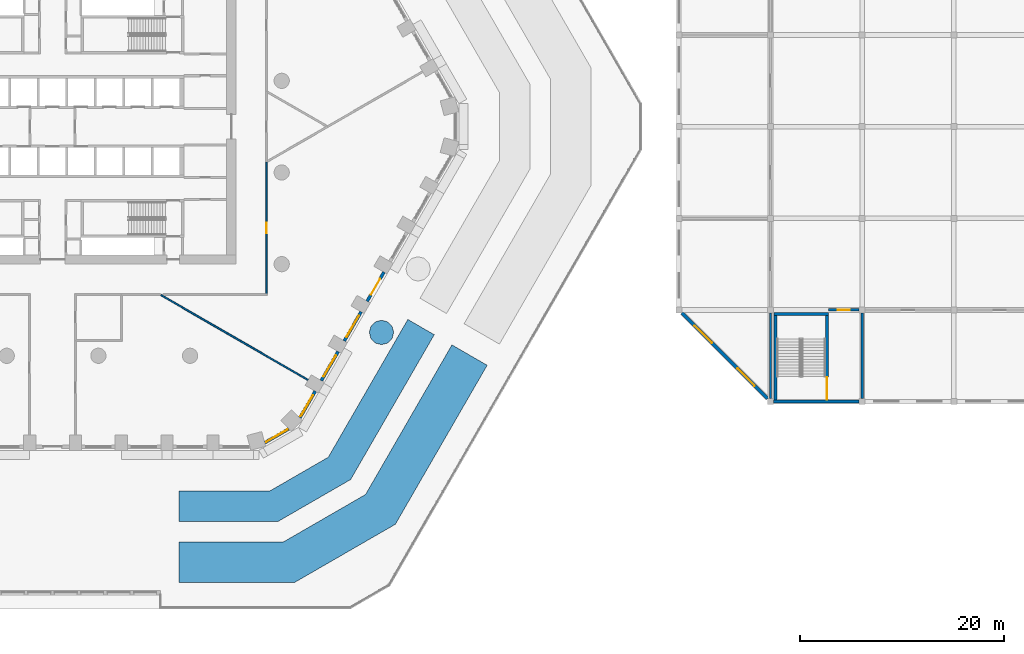
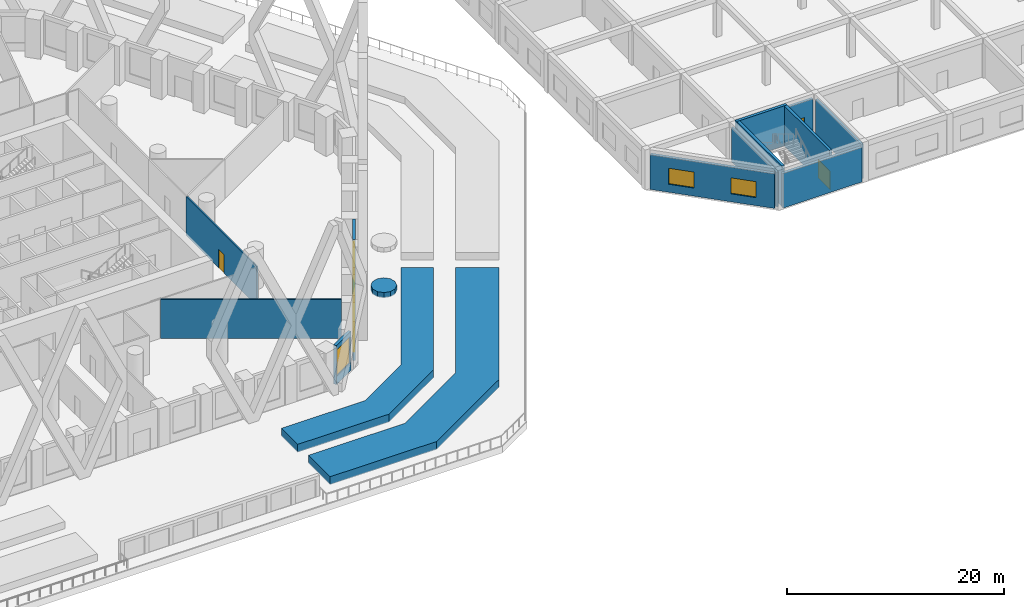
# One storey, part 9 of 27: 18 walls, 6 windows, 4 doors, 10 openings.
"""IFC4 building model written with IfcOpenShell, lengths in metres."""

import ifcopenshell
import ifcopenshell.guid

model = None  # the IFC model being written
_history = None  # IfcOwnerHistory: only IFC2X3 demands one
_inside = {}  # id of a spatial element -> (the spatial element, [elements in it])
_under = {}  # id of a project, library or spatial element -> (it, [spatial elements below it])
_declared = {}  # id of a project -> (the project, [libraries it declares])
_typed = {}  # id of a type object -> (the type object, [elements of that type])
_made_of = {}  # id of a material, layer set ... -> (it, [elements and type objects made of it])


def new_model(schema):
    """Start an empty IFC model of exactly this schema.

    Asked for "IFC4X3", IfcOpenShell would pick the latest addendum, in which some entities
    have other attributes; the version numbers below select the first issue.
    IFC2X3 requires an IfcOwnerHistory on every rooted entity: one is made here for all.
    """
    global model, _history
    if schema == "IFC4X3":
        model = ifcopenshell.file(schema_version=(4, 3, 0, 0))
    else:
        model = ifcopenshell.file(schema=schema)
    _inside.clear()
    _under.clear()
    _declared.clear()
    _typed.clear()
    _made_of.clear()
    _history = None
    if model.schema == "IFC2X3":
        org = make("IfcOrganization", Name="unknown")
        user = make(
            "IfcPersonAndOrganization",
            ThePerson=make("IfcPerson", FamilyName="unknown"),
            TheOrganization=org,
        )
        app = make(
            "IfcApplication",
            ApplicationDeveloper=org,
            Version="unknown",
            ApplicationFullName="unknown",
            ApplicationIdentifier="unknown",
        )
        _history = make(
            "IfcOwnerHistory",
            OwningUser=user,
            OwningApplication=app,
            ChangeAction="ADDED",
            CreationDate=0,
        )
    return model


def make(cls, **values):
    """One entity of the class cls with the attributes given. An attribute that is None is left unset."""
    return model.create_entity(
        cls, **{name: value for name, value in values.items() if value is not None}
    )


def rooted(cls, **values):
    """An entity with a GlobalId (a new one), such as an element, a storey or a relation."""
    return make(cls, GlobalId=ifcopenshell.guid.new(), OwnerHistory=_history, **values)


def si_unit(unit_type, name, prefix=None):
    """IfcSIUnit, for example si_unit("LENGTHUNIT", "METRE", prefix="MILLI")."""
    return make("IfcSIUnit", UnitType=unit_type, Prefix=prefix, Name=name)


def assignment(units):
    """IfcUnitAssignment: the units of a project."""
    return None if units is None else make("IfcUnitAssignment", Units=units)


def point(xyz):
    """IfcCartesianPoint."""
    return None if xyz is None else make("IfcCartesianPoint", Coordinates=xyz)


def direction(xyz):
    """IfcDirection."""
    return None if xyz is None else make("IfcDirection", DirectionRatios=xyz)


def frame(location, z_axis=None, x_axis=None):
    """IfcAxis2Placement3D, a coordinate frame: its origin and axes. An axis left out is left unset."""
    return make(
        "IfcAxis2Placement3D",
        Location=point(location),
        Axis=direction(z_axis),
        RefDirection=direction(x_axis),
    )


def frame_2d(location, x_axis=None):
    """IfcAxis2Placement2D, a coordinate frame in the plane: its origin and x axis."""
    return make(
        "IfcAxis2Placement2D", Location=point(location), RefDirection=direction(x_axis)
    )


def origin():
    """The frame at (0, 0, 0) with its axes left unset."""
    return frame((0.0, 0.0, 0.0))


def place(relative_to, where):
    """IfcLocalPlacement: puts the frame where relative to a parent placement (None: the world)."""
    return make(
        "IfcLocalPlacement", PlacementRelTo=relative_to, RelativePlacement=where
    )


def context(
    kind, dimensions, precision=None, world=None, true_north=None, identifier=None
):
    """IfcGeometricRepresentationContext, for example the 3D "Model" context."""
    return make(
        "IfcGeometricRepresentationContext",
        ContextIdentifier=identifier,
        ContextType=kind,
        CoordinateSpaceDimension=dimensions,
        Precision=precision,
        WorldCoordinateSystem=world,
        TrueNorth=true_north,
    )


def subcontext(parent, identifier, kind, view, scale=None):
    """IfcGeometricRepresentationSubContext, for example "Body" below "Model"."""
    return make(
        "IfcGeometricRepresentationSubContext",
        ContextIdentifier=identifier,
        ContextType=kind,
        ParentContext=parent,
        TargetScale=scale,
        TargetView=view,
    )


def project(units=None, contexts=None):
    """IfcProject with its units and contexts."""
    return rooted(
        "IfcProject",
        Name="project",
        RepresentationContexts=contexts,
        UnitsInContext=assignment(units),
    )


def spatial(cls, under=None, at=None, **own):
    """A site, building, storey or space (cls), placed at a placement, below another one or the project."""
    s = rooted(cls, ObjectPlacement=at, **own)
    if under is not None:
        _under.setdefault(under.id(), (under, []))[1].append(s)
    return s


def polyline(points):
    """IfcPolyline through the points."""
    return make("IfcPolyline", Points=[point(p) for p in points])


def profile(cls, at=None, kind="AREA", **sizes):
    """A parametric profile (cls). Its sizes go by their IFC names, for example OverallWidth=200.0."""
    return make(cls, ProfileType=kind, Position=at, **sizes)


def rectangle(**sizes):
    """IfcRectangleProfileDef."""
    return profile("IfcRectangleProfileDef", **sizes)


def outline(outer, holes=None, kind="AREA"):
    """IfcArbitraryClosedProfileDef: a profile drawn as a closed curve; with holes, ...WithVoids."""
    if holes is None:
        return make("IfcArbitraryClosedProfileDef", ProfileType=kind, OuterCurve=outer)
    return make(
        "IfcArbitraryProfileDefWithVoids",
        ProfileType=kind,
        OuterCurve=outer,
        InnerCurves=holes,
    )


def extrude(swept, where, along, depth):
    """IfcExtrudedAreaSolid: the profile swept, set in the frame where, extruded along a direction by depth."""
    return make(
        "IfcExtrudedAreaSolid",
        SweptArea=swept,
        Position=where,
        ExtrudedDirection=direction(along),
        Depth=depth,
    )


def shape(context_of_items, identifier, shape_type, items):
    """IfcShapeRepresentation: the items that make up one representation, for example the "Body"."""
    return make(
        "IfcShapeRepresentation",
        ContextOfItems=context_of_items,
        RepresentationIdentifier=identifier,
        RepresentationType=shape_type,
        Items=items,
    )


def material(Name=None, Category=None):
    """IfcMaterial."""
    return make("IfcMaterial", Name=Name, Category=Category)


def layer(
    of_material, thickness, ventilated=None, Name=None, Category=None, Priority=None
):
    """IfcMaterialLayer: one layer of a wall or slab, of a material (None: an air gap)."""
    return make(
        "IfcMaterialLayer",
        Material=of_material,
        LayerThickness=thickness,
        IsVentilated=ventilated,
        Name=Name,
        Category=Category,
        Priority=Priority,
    )


def layer_set(layers, Name=None):
    """IfcMaterialLayerSet."""
    return make("IfcMaterialLayerSet", MaterialLayers=layers, LayerSetName=Name)


def made_of(thing, what):
    """Note that an element or type object is made of a material, layer set ...; save() writes the relation."""
    if what is not None:
        _made_of.setdefault(what.id(), (what, []))[1].append(thing)
    return thing


def type_object(cls, material=None, **own):
    """A type object (cls), such as IfcWallType, which elements share."""
    return made_of(rooted(cls, **own), material)


def element(
    cls,
    number,
    at=None,
    inside=None,
    cuts=None,
    type_object=None,
    material=None,
    context=None,
    identifier="Body",
    shape_type=None,
    held_by="IfcProductDefinitionShape",
    body=None,
    shapes=None,
    **own,
):
    """One element of the class cls, such as IfcWall. Its Tag is "e" and its number.

    at: its placement. inside: the storey or other place that contains it. cuts: it is an
    opening in that element (IfcRelVoidsElement). A single representation is given by context,
    identifier, shape_type and body (its items); several are given by shapes. held_by: the class
    of the entity that holds the representations. save() writes the other relations.
    """
    e = rooted(cls, Tag="e%d" % number, ObjectPlacement=at, **own)
    if body is not None:
        shapes = [shape(context, identifier, shape_type, body)]
    if shapes is not None:
        e.Representation = make(held_by, Representations=shapes)
    if inside is not None:
        _inside.setdefault(inside.id(), (inside, []))[1].append(e)
    if cuts is not None:
        rooted(
            "IfcRelVoidsElement", RelatingBuildingElement=cuts, RelatedOpeningElement=e
        )
    if type_object is not None:
        _typed.setdefault(type_object.id(), (type_object, []))[1].append(e)
    return made_of(e, material)


def fill(opening, filler):
    """IfcRelFillsElement: the door or window that sits in an opening."""
    return rooted(
        "IfcRelFillsElement",
        RelatingOpeningElement=opening,
        RelatedBuildingElement=filler,
    )


def aggregate(whole, parts):
    """IfcRelAggregates: a whole, such as a stair, and the parts it consists of."""
    return rooted("IfcRelAggregates", RelatingObject=whole, RelatedObjects=parts)


def save(model, path):
    """Write the relations noted so far, then the file.

    IfcRelAggregates (storeys below a building ...), IfcRelContainedInSpatialStructure (elements
    in a storey), IfcRelDefinesByType, IfcRelAssociatesMaterial and IfcRelDeclares: one each for
    every whole, place, type object, material and project.
    """
    for whole, parts in _under.values():
        aggregate(whole, parts)
    for where, things in _inside.values():
        rooted(
            "IfcRelContainedInSpatialStructure",
            RelatedElements=things,
            RelatingStructure=where,
        )
    for kind, things in _typed.values():
        rooted("IfcRelDefinesByType", RelatedObjects=things, RelatingType=kind)
    for what, things in _made_of.values():
        rooted("IfcRelAssociatesMaterial", RelatedObjects=things, RelatingMaterial=what)
    for by, libraries in _declared.values():
        rooted("IfcRelDeclares", RelatingContext=by, RelatedDefinitions=libraries)
    model.write(path)


model = new_model("IFC4")

# Units and contexts
model_context = context("Model", 3, precision=1e-05, world=origin(), true_north=direction((0.0, 1.0)))
body_context = subcontext(model_context, "Body", "Model", "MODEL_VIEW")
ifc_project = project(units=[si_unit("LENGTHUNIT", "METRE"), si_unit("AREAUNIT", "SQUARE_METRE"), si_unit("VOLUMEUNIT", "CUBIC_METRE"), si_unit("PLANEANGLEUNIT", "RADIAN"), si_unit("MASSUNIT", "GRAM", prefix="KILO")], contexts=[model_context])

# Site, building, storey
site_placement = place(None, origin())
site = spatial("IfcSite", under=ifc_project, at=site_placement, CompositionType="ELEMENT")
building_placement = place(site_placement, origin())
building = spatial("IfcBuilding", under=site, at=building_placement, Name="Dhurran Vertical Campus", CompositionType="ELEMENT")
storey_placement = place(building_placement, frame((0.0, 0.0, 10.800048828125)))
storey = spatial("IfcBuildingStorey", under=building, at=storey_placement, Name="L02", CompositionType="ELEMENT", Elevation=10.800048828125)

# Wall, opening, window
ifc_material_1 = material(Name="Precast concrete C50/60", Category="concrete")
ifc_layer_1 = layer(ifc_material_1, 0.300048828125)
ifc_layer_set_1 = layer_set([ifc_layer_1], Name="Precast concrete C50/60")
wall_type_1 = type_object("IfcWallType", Name="Precast spandrel wall 300", PredefinedType="SOLIDWALL", material=ifc_layer_set_1)
wall_1_placement = place(storey_placement, frame((20.86376953125, -31.021240234375, 0.0), z_axis=(0.0, 0.0, 1.0), x_axis=(0.866001915448, 0.500040680786, 0.0)))
wall_1 = element("IfcWall", 1, at=wall_1_placement, inside=storey, type_object=wall_type_1, Name="EW1 L02.09", PredefinedType="SOLIDWALL", context=body_context, shape_type="SweptSolid", body=[
    extrude(rectangle(XDim=2.678466796875, YDim=0.300048828125, at=frame_2d((1.33935546875, 0.0))), origin(), (0.0, 0.0, 1.0), 4.39990234375),
])
opening_1_placement = place(wall_1_placement, frame((0.139404296875, 0.0, 0.89990234375)))
opening_1 = element("IfcOpeningElement", 2, at=opening_1_placement, cuts=wall_1, Name="Opening WT2", PredefinedType="OPENING", context=body_context, shape_type="SweptSolid", body=[
    extrude(rectangle(XDim=2.39990234375, YDim=3.0, at=frame_2d((1.199951171875, 1.5))), frame((0.0, 0.159912109375, 0.0), z_axis=(0.0, -1.0, 0.0), x_axis=(1.0, 0.0, 0.0)), (0.0, 0.0, 1.0), 0.320068359375),
])
ifc_material_2 = material(Name="Aluminium frame with solar-control glass", Category="aluminium")
window_type_1 = type_object("IfcWindowType", Name="Podium window 2400 x 3000", PartitioningType="SINGLE_PANEL", PredefinedType="WINDOW", material=ifc_material_2)
window_1_placement = place(opening_1_placement, origin())
window_1 = element("IfcWindow", 3, at=window_1_placement, inside=storey, type_object=window_type_1, Name="WT2 L02.09", OverallHeight=3.0, OverallWidth=2.39990234375, PartitioningType="SINGLE_PANEL", PredefinedType="WINDOW", context=body_context, shape_type="SweptSolid", body=[
    extrude(rectangle(XDim=2.39990234375, YDim=3.0, at=frame_2d((1.199951171875, 1.5))), frame((0.0, 0.030029296875, 0.0), z_axis=(0.0, -1.0, 0.0), x_axis=(1.0, 0.0, 0.0)), (0.0, 0.0, 1.0), 0.06005859375),
])
fill(opening_1, window_1)

wall_2_placement = place(storey_placement, frame((24.29931640625, -28.566162109375, 0.0), z_axis=(0.0, 0.0, 1.0), x_axis=(0.49999586137, 0.866027793211, 0.0)))
wall_2 = element("IfcWall", 4, at=wall_2_placement, inside=storey, type_object=wall_type_1, Name="EW1 L02.10", PredefinedType="SOLIDWALL", context=body_context, shape_type="SweptSolid", body=[
    extrude(rectangle(XDim=2.98876953125, YDim=0.300048828125, at=frame_2d((1.494384765625, 0.0))), origin(), (0.0, 0.0, 1.0), 4.39990234375),
])
opening_2_placement = place(wall_2_placement, frame((0.139404296875, 0.0, 0.89990234375)))
opening_2 = element("IfcOpeningElement", 5, at=opening_2_placement, cuts=wall_2, Name="Opening WT2", PredefinedType="OPENING", context=body_context, shape_type="SweptSolid", body=[
    extrude(rectangle(XDim=2.39990234375, YDim=3.0, at=frame_2d((1.199951171875, 1.5))), frame((0.0, 0.159912109375, 0.0), z_axis=(0.0, -1.0, 0.0), x_axis=(1.0, 0.0, 0.0)), (0.0, 0.0, 1.0), 0.320068359375),
])
window_2_placement = place(opening_2_placement, origin())
window_2 = element("IfcWindow", 6, at=window_2_placement, inside=storey, type_object=window_type_1, Name="WT2 L02.10", OverallHeight=3.0, OverallWidth=2.39990234375, PartitioningType="SINGLE_PANEL", PredefinedType="WINDOW", context=body_context, shape_type="SweptSolid", body=[
    extrude(rectangle(XDim=2.39990234375, YDim=3.0, at=frame_2d((1.199951171875, 1.5))), frame((0.0, 0.030029296875, 0.0), z_axis=(0.0, -1.0, 0.0), x_axis=(1.0, 0.0, 0.0)), (0.0, 0.0, 1.0), 0.06005859375),
])
fill(opening_2, window_2)

wall_3_placement = place(storey_placement, frame((26.394287109375, -24.9375, 0.0), z_axis=(0.0, 0.0, 1.0), x_axis=(0.499991515992, 0.866030301974, 0.0)))
wall_3 = element("IfcWall", 7, at=wall_3_placement, inside=storey, type_object=wall_type_1, Name="EW1 L02.11", PredefinedType="SOLIDWALL", context=body_context, shape_type="SweptSolid", body=[
    extrude(rectangle(XDim=3.298828125, YDim=0.300048828125, at=frame_2d((1.6494140625, 0.0))), origin(), (0.0, 0.0, 1.0), 4.39990234375),
])
opening_3_placement = place(wall_3_placement, frame((0.449462890625, 0.0, 0.89990234375)))
opening_3 = element("IfcOpeningElement", 8, at=opening_3_placement, cuts=wall_3, Name="Opening WT2", PredefinedType="OPENING", context=body_context, shape_type="SweptSolid", body=[
    extrude(rectangle(XDim=2.39990234375, YDim=3.0, at=frame_2d((1.199951171875, 1.5))), frame((0.0, 0.159912109375, 0.0), z_axis=(0.0, -1.0, 0.0), x_axis=(1.0, 0.0, 0.0)), (0.0, 0.0, 1.0), 0.320068359375),
])
window_3_placement = place(opening_3_placement, origin())
window_3 = element("IfcWindow", 9, at=window_3_placement, inside=storey, type_object=window_type_1, Name="WT2 L02.11", OverallHeight=3.0, OverallWidth=2.39990234375, PartitioningType="SINGLE_PANEL", PredefinedType="WINDOW", context=body_context, shape_type="SweptSolid", body=[
    extrude(rectangle(XDim=2.39990234375, YDim=3.0, at=frame_2d((1.199951171875, 1.5))), frame((0.0, 0.030029296875, 0.0), z_axis=(0.0, -1.0, 0.0), x_axis=(1.0, 0.0, 0.0)), (0.0, 0.0, 1.0), 0.06005859375),
])
fill(opening_3, window_3)

wall_4_placement = place(storey_placement, frame((28.644287109375, -21.04052734375, 0.0), z_axis=(0.0, 0.0, 1.0), x_axis=(0.499991515992, 0.866030301974, 0.0)))
wall_4 = element("IfcWall", 10, at=wall_4_placement, inside=storey, type_object=wall_type_1, Name="EW1 L02.12", PredefinedType="SOLIDWALL", context=body_context, shape_type="SweptSolid", body=[
    extrude(rectangle(XDim=3.298828125, YDim=0.300048828125, at=frame_2d((1.6494140625, 0.0))), origin(), (0.0, 0.0, 1.0), 4.39990234375),
])
opening_4_placement = place(wall_4_placement, frame((0.449462890625, 0.0, 0.89990234375)))
opening_4 = element("IfcOpeningElement", 11, at=opening_4_placement, cuts=wall_4, Name="Opening WT2", PredefinedType="OPENING", context=body_context, shape_type="SweptSolid", body=[
    extrude(rectangle(XDim=2.39990234375, YDim=3.0, at=frame_2d((1.199951171875, 1.5))), frame((0.0, 0.159912109375, 0.0), z_axis=(0.0, -1.0, 0.0), x_axis=(1.0, 0.0, 0.0)), (0.0, 0.0, 1.0), 0.320068359375),
])
window_4_placement = place(opening_4_placement, origin())
window_4 = element("IfcWindow", 12, at=window_4_placement, inside=storey, type_object=window_type_1, Name="WT2 L02.12", OverallHeight=3.0, OverallWidth=2.39990234375, PartitioningType="SINGLE_PANEL", PredefinedType="WINDOW", context=body_context, shape_type="SweptSolid", body=[
    extrude(rectangle(XDim=2.39990234375, YDim=3.0, at=frame_2d((1.199951171875, 1.5))), frame((0.0, 0.030029296875, 0.0), z_axis=(0.0, -1.0, 0.0), x_axis=(1.0, 0.0, 0.0)), (0.0, 0.0, 1.0), 0.06005859375),
])
fill(opening_4, window_4)

# Wall, opening, door
wall_5_placement = place(storey_placement, frame((32.543701171875, -14.286376953125, 0.0), z_axis=(0.0, 0.0, 1.0), x_axis=(-0.499991515992, -0.866030301974, 0.0)))
wall_5 = element("IfcWall", 13, at=wall_5_placement, inside=storey, type_object=wall_type_1, Name="EW1 L02.13", PredefinedType="SOLIDWALL", context=body_context, shape_type="SweptSolid", body=[
    extrude(rectangle(XDim=3.298828125, YDim=0.300048828125, at=frame_2d((1.6494140625, 0.0))), origin(), (0.0, 0.0, 1.0), 4.39990234375),
])
opening_5_placement = place(wall_5_placement, frame((0.74951171875, 0.0, 0.0)))
opening_5 = element("IfcOpeningElement", 14, at=opening_5_placement, cuts=wall_5, Name="Opening D103", PredefinedType="OPENING", context=body_context, shape_type="SweptSolid", body=[
    extrude(rectangle(XDim=1.800048828125, YDim=2.39990234375, at=frame_2d((0.89990234375, 1.199951171875))), frame((0.0, 0.159912109375, 0.0), z_axis=(0.0, -1.0, 0.0), x_axis=(1.0, 0.0, 0.0)), (0.0, 0.0, 1.0), 0.320068359375),
])
ifc_material_3 = material(Name="Aluminium and clear glass", Category="aluminium")
door_type_1 = type_object("IfcDoorType", Name="Aluminium and glass garden door pair 1800 x 2400", OperationType="DOUBLE_DOOR_SINGLE_SWING", PredefinedType="DOOR", material=ifc_material_3)
door_1_placement = place(opening_5_placement, origin())
door_1 = element("IfcDoor", 15, at=door_1_placement, inside=storey, type_object=door_type_1, Name="D103 garden deck door", OperationType="DOUBLE_DOOR_SINGLE_SWING", OverallHeight=2.39990234375, OverallWidth=1.800048828125, PredefinedType="DOOR", context=body_context, shape_type="SweptSolid", body=[
    extrude(rectangle(XDim=1.800048828125, YDim=2.39990234375, at=frame_2d((0.89990234375, 1.199951171875))), frame((0.0, 0.02490234375, 0.0), z_axis=(0.0, -1.0, 0.0), x_axis=(1.0, 0.0, 0.0)), (0.0, 0.0, 1.0), 0.050048828125),
])
fill(opening_5, door_1)

ifc_material_4 = material(Name="Gypsum board corridor wall on steel studs", Category="steel")
ifc_layer_2 = layer(ifc_material_4, 0.14990234375)
ifc_layer_set_2 = layer_set([ifc_layer_2], Name="Gypsum board corridor wall on steel studs")
wall_type_2 = type_object("IfcWallType", Name="fl-CW-150 corridor wall", PredefinedType="PARTITIONING", material=ifc_layer_set_2)
wall_6_placement = place(storey_placement, frame((21.0, -16.425048828125, 0.0), z_axis=(0.0, 0.0, 1.0), x_axis=(0.0, 1.0, 0.0)))
wall_6 = element("IfcWall", 16, at=wall_6_placement, inside=storey, type_object=wall_type_2, Name="Partition 02-35", PredefinedType="PARTITIONING", context=body_context, shape_type="SweptSolid", body=[
    extrude(rectangle(XDim=12.9609375, YDim=0.14990234375, at=frame_2d((6.48046875, 0.0))), origin(), (0.0, 0.0, 1.0), 4.39990234375),
])
opening_6_placement = place(wall_6_placement, frame((5.98046875, 0.0, 0.0)))
opening_6 = element("IfcOpeningElement", 17, at=opening_6_placement, cuts=wall_6, Name="Opening PD02.14", PredefinedType="OPENING", context=body_context, shape_type="SweptSolid", body=[
    extrude(rectangle(XDim=1.0, YDim=2.10009765625, at=frame_2d((0.5, 1.050048828125))), frame((0.0, 0.0849609375, 0.0), z_axis=(0.0, -1.0, 0.0), x_axis=(1.0, 0.0, 0.0)), (0.0, 0.0, 1.0), 0.169921875),
])
ifc_material_5 = material(Name="Solid-core timber door set, fire-rated", Category="wood")
door_type_2 = type_object("IfcDoorType", Name="fl-D-1000x2100", OperationType="SINGLE_SWING_LEFT", PredefinedType="DOOR", material=ifc_material_5)
door_2_placement = place(opening_6_placement, origin())
door_2 = element("IfcDoor", 18, at=door_2_placement, inside=storey, type_object=door_type_2, Name="Door 02.14", OperationType="SINGLE_SWING_RIGHT", OverallHeight=2.10009765625, OverallWidth=1.0, PredefinedType="DOOR", context=body_context, shape_type="SweptSolid", body=[
    extrude(rectangle(XDim=1.0, YDim=2.10009765625, at=frame_2d((0.5, 1.050048828125))), frame((0.0, 0.02490234375, 0.0), z_axis=(0.0, -1.0, 0.0), x_axis=(1.0, 0.0, 0.0)), (0.0, 0.0, 1.0), 0.050048828125),
])
fill(opening_6, door_2)

# Wall
ifc_material_6 = material(Name="Gypsum board partition on steel studs", Category="steel")
ifc_layer_3 = layer(ifc_material_6, 0.14990234375)
ifc_layer_set_3 = layer_set([ifc_layer_3], Name="Gypsum board partition on steel studs")
wall_type_3 = type_object("IfcWallType", Name="fl-PW-150 fixed partition", PredefinedType="PARTITIONING", material=ifc_layer_set_3)
wall_7_placement = place(storey_placement, frame((10.64404296875, -16.53759765625, 0.0), z_axis=(0.0, 0.0, 1.0), x_axis=(0.866011934562, -0.500023328652, 0.0)))
element("IfcWall", 19, at=wall_7_placement, inside=storey, type_object=wall_type_3, Name="Partition 02-29", PredefinedType="PARTITIONING", context=body_context, shape_type="SweptSolid", body=[
    extrude(rectangle(XDim=16.670166015625, YDim=0.14990234375, at=frame_2d((8.3349609375, 0.0))), origin(), (0.0, 0.0, 1.0), 4.39990234375),
])

# Wall, openings, windows
ifc_material_7 = material(Name="Precast concrete C40/50", Category="concrete")
ifc_layer_4 = layer(ifc_material_7, 0.300048828125)
ifc_layer_set_4 = layer_set([ifc_layer_4], Name="Precast concrete C40/50")
wall_type_4 = type_object("IfcWallType", Name="hl-external wall precast 300", PredefinedType="SOLIDWALL", material=ifc_layer_set_4)
wall_8_placement = place(storey_placement, frame((61.800048828125, -18.300048828125, 0.0), z_axis=(0.0, 0.0, 1.0), x_axis=(0.707106781187, -0.707106781187, 0.0)))
wall_8 = element("IfcWall", 20, at=wall_8_placement, inside=storey, type_object=wall_type_4, Name="Hall external wall L02-002", PredefinedType="SOLIDWALL", context=body_context, shape_type="SweptSolid", body=[
    extrude(rectangle(XDim=11.879150390625, YDim=0.300048828125, at=frame_2d((5.939453125, 0.0))), origin(), (0.0, 0.0, 1.0), 3.89990234375),
])
opening_7_placement = place(wall_8_placement, frame((1.769775390625, 0.0, 0.89990234375)))
opening_7 = element("IfcOpeningElement", 21, at=opening_7_placement, cuts=wall_8, Name="Opening HWN1", PredefinedType="OPENING", context=body_context, shape_type="SweptSolid", body=[
    extrude(rectangle(XDim=2.39990234375, YDim=1.800048828125, at=frame_2d((1.199951171875, 0.89990234375))), frame((0.0, 0.159912109375, 0.0), z_axis=(0.0, -1.0, 0.0), x_axis=(1.0, 0.0, 0.0)), (0.0, 0.0, 1.0), 0.320068359375),
])
opening_8_placement = place(wall_8_placement, frame((7.70947265625, 0.0, 0.89990234375)))
opening_8 = element("IfcOpeningElement", 22, at=opening_8_placement, cuts=wall_8, Name="Opening HWN1", PredefinedType="OPENING", context=body_context, shape_type="SweptSolid", body=[
    extrude(rectangle(XDim=2.39990234375, YDim=1.800048828125, at=frame_2d((1.199951171875, 0.89990234375))), frame((0.0, 0.159912109375, 0.0), z_axis=(0.0, -1.0, 0.0), x_axis=(1.0, 0.0, 0.0)), (0.0, 0.0, 1.0), 0.320068359375),
])
ifc_material_8 = material(Name="Aluminium", Category="aluminium")
window_type_2 = type_object("IfcWindowType", Name="hl-window 2400x1800", PartitioningType="SINGLE_PANEL", PredefinedType="WINDOW", material=ifc_material_8)
window_5_placement = place(opening_7_placement, origin())
window_5 = element("IfcWindow", 23, at=window_5_placement, inside=storey, type_object=window_type_2, Name="Hall window L02-033", OverallHeight=1.800048828125, OverallWidth=2.39990234375, PartitioningType="SINGLE_PANEL", PredefinedType="WINDOW", context=body_context, shape_type="SweptSolid", body=[
    extrude(rectangle(XDim=2.39990234375, YDim=1.800048828125, at=frame_2d((1.199951171875, 0.89990234375))), frame((0.0, 0.030029296875, 0.0), z_axis=(0.0, -1.0, 0.0), x_axis=(1.0, 0.0, 0.0)), (0.0, 0.0, 1.0), 0.06005859375),
])
fill(opening_7, window_5)
window_6_placement = place(opening_8_placement, origin())
window_6 = element("IfcWindow", 24, at=window_6_placement, inside=storey, type_object=window_type_2, Name="Hall window L02-034", OverallHeight=1.800048828125, OverallWidth=2.39990234375, PartitioningType="SINGLE_PANEL", PredefinedType="WINDOW", context=body_context, shape_type="SweptSolid", body=[
    extrude(rectangle(XDim=2.39990234375, YDim=1.800048828125, at=frame_2d((1.199951171875, 0.89990234375))), frame((0.0, 0.030029296875, 0.0), z_axis=(0.0, -1.0, 0.0), x_axis=(1.0, 0.0, 0.0)), (0.0, 0.0, 1.0), 0.06005859375),
])
fill(opening_8, window_6)

# Walls
ifc_material_9 = material(Name="Precast concrete C40/50", Category="concrete")
ifc_layer_5 = layer(ifc_material_9, 0.300048828125)
ifc_layer_set_5 = layer_set([ifc_layer_5], Name="Precast concrete C40/50")
wall_type_5 = type_object("IfcWallType", Name="hl-external wall precast 300 EI 120", PredefinedType="SOLIDWALL", material=ifc_layer_set_5)
wall_9_placement = place(storey_placement, frame((70.800048828125, -27.0, 0.0), z_axis=(0.0, 0.0, 1.0), x_axis=(1.0, 0.0, 0.0)))
element("IfcWall", 25, at=wall_9_placement, inside=storey, type_object=wall_type_5, Name="Hall external wall L02-004", PredefinedType="SOLIDWALL", context=body_context, shape_type="SweptSolid", body=[
    extrude(rectangle(XDim=8.39990234375, YDim=0.300048828125, at=frame_2d((4.199951171875, 0.0))), origin(), (0.0, 0.0, 1.0), 3.89990234375),
])
ifc_material_10 = material(Name="Masonry blockwork", Category="masonry")
ifc_layer_6 = layer(ifc_material_10, 0.199951171875)
ifc_layer_set_6 = layer_set([ifc_layer_6], Name="Masonry blockwork")
wall_type_6 = type_object("IfcWallType", Name="hl-partition blockwork 200 EI 60", PredefinedType="PARTITIONING", material=ifc_layer_set_6)
wall_10_placement = place(storey_placement, frame((70.5, -26.699951171875, 0.0), z_axis=(0.0, 0.0, 1.0), x_axis=(0.0, 1.0, 0.0)))
element("IfcWall", 26, at=wall_10_placement, inside=storey, type_object=wall_type_6, Name="Hall partition L02-003", PredefinedType="PARTITIONING", context=body_context, shape_type="SweptSolid", body=[
    extrude(rectangle(XDim=8.39990234375, YDim=0.199951171875, at=frame_2d((4.199951171875, 0.0))), origin(), (0.0, 0.0, 1.0), 3.89990234375),
])

# Wall, opening, door
ifc_material_11 = material(Name="Masonry blockwork", Category="masonry")
ifc_layer_7 = layer(ifc_material_11, 0.25)
ifc_layer_set_7 = layer_set([ifc_layer_7], Name="Masonry blockwork")
wall_type_7 = type_object("IfcWallType", Name="hl-partition blockwork 250 EI 120", PredefinedType="PARTITIONING", material=ifc_layer_set_7)
wall_11_placement = place(storey_placement, frame((76.199951171875, -18.0, 0.0), z_axis=(0.0, 0.0, 1.0), x_axis=(1.0, 0.0, 0.0)))
wall_11 = element("IfcWall", 27, at=wall_11_placement, inside=storey, type_object=wall_type_7, Name="Hall partition L02-009", PredefinedType="PARTITIONING", context=body_context, shape_type="SweptSolid", body=[
    extrude(rectangle(XDim=3.0, YDim=0.25, at=frame_2d((1.5, 0.0))), origin(), (0.0, 0.0, 1.0), 3.89990234375),
])
opening_9_placement = place(wall_11_placement, frame((0.89990234375, 0.0, 0.0)))
opening_9 = element("IfcOpeningElement", 28, at=opening_9_placement, cuts=wall_11, Name="Opening HD201", PredefinedType="OPENING", context=body_context, shape_type="SweptSolid", body=[
    extrude(rectangle(XDim=1.199951171875, YDim=2.10009765625, at=frame_2d((0.60009765625, 1.050048828125))), frame((0.0, 0.135009765625, 0.0), z_axis=(0.0, -1.0, 0.0), x_axis=(1.0, 0.0, 0.0)), (0.0, 0.0, 1.0), 0.27001953125),
])
ifc_material_12 = material(Name="Fire-rated steel door set", Category="steel")
door_type_3 = type_object("IfcDoorType", Name="hl-door 1200x2100 single FD90", OperationType="NOTDEFINED", PredefinedType="DOOR", material=ifc_material_12)
door_3_placement = place(opening_9_placement, origin())
door_3 = element("IfcDoor", 29, at=door_3_placement, inside=storey, type_object=door_type_3, Name="Door HD201", OperationType="SINGLE_SWING_LEFT", OverallHeight=2.10009765625, OverallWidth=1.199951171875, PredefinedType="DOOR", context=body_context, shape_type="SweptSolid", body=[
    extrude(rectangle(XDim=1.199951171875, YDim=2.10009765625, at=frame_2d((0.60009765625, 1.050048828125))), frame((0.0, 0.02490234375, 0.0), z_axis=(0.0, -1.0, 0.0), x_axis=(1.0, 0.0, 0.0)), (0.0, 0.0, 1.0), 0.050048828125),
])
fill(opening_9, door_3)

# Walls
wall_12_placement = place(storey_placement, frame((79.5, -26.699951171875, 0.0), z_axis=(0.0, 0.0, 1.0), x_axis=(0.0, 1.0, 0.0)))
element("IfcWall", 30, at=wall_12_placement, inside=storey, type_object=wall_type_7, Name="Hall partition L02-011", PredefinedType="PARTITIONING", context=body_context, shape_type="SweptSolid", body=[
    extrude(rectangle(XDim=8.39990234375, YDim=0.25, at=frame_2d((4.199951171875, 0.0))), origin(), (0.0, 0.0, 1.0), 3.89990234375),
])
ifc_material_13 = material(Name="Concrete C40/50", Category="concrete")
ifc_layer_8 = layer(ifc_material_13, 0.300048828125)
ifc_layer_set_8 = layer_set([ifc_layer_8], Name="Concrete C40/50")
wall_type_8 = type_object("IfcWallType", Name="hl-stair shaft wall 300", PredefinedType="SHEAR", material=ifc_layer_set_8)
wall_13_placement = place(storey_placement, frame((71.0, -26.85009765625, 0.0), z_axis=(0.0, 0.0, 1.0), x_axis=(0.0, 1.0, 0.0)))
element("IfcWall", 31, at=wall_13_placement, inside=storey, type_object=wall_type_8, Name="Stair shaft wall HST1 W L02", PredefinedType="SHEAR", context=body_context, shape_type="SweptSolid", body=[
    extrude(rectangle(XDim=8.300048828125, YDim=0.300048828125, at=frame_2d((4.14990234375, 0.0))), origin(), (0.0, 0.0, 1.0), 4.52001953125),
])

# Wall, opening, door
wall_14_placement = place(storey_placement, frame((76.050048828125, -26.85009765625, 0.0), z_axis=(0.0, 0.0, 1.0), x_axis=(0.0, 1.0, 0.0)))
wall_14 = element("IfcWall", 32, at=wall_14_placement, inside=storey, type_object=wall_type_8, Name="Stair shaft wall HST1 E L02", PredefinedType="SHEAR", context=body_context, shape_type="SweptSolid", body=[
    extrude(rectangle(XDim=8.300048828125, YDim=0.300048828125, at=frame_2d((4.14990234375, 0.0))), origin(), (0.0, 0.0, 1.0), 4.52001953125),
])
opening_10_placement = place(wall_14_placement, frame((0.050048828125, 0.0, 0.0)))
opening_10 = element("IfcOpeningElement", 33, at=opening_10_placement, cuts=wall_14, Name="Opening HDS21", PredefinedType="OPENING", context=body_context, shape_type="SweptSolid", body=[
    extrude(rectangle(XDim=2.199951171875, YDim=2.10009765625, at=frame_2d((1.10009765625, 1.050048828125))), frame((0.0, 0.159912109375, 0.0), z_axis=(0.0, -1.0, 0.0), x_axis=(1.0, 0.0, 0.0)), (0.0, 0.0, 1.0), 0.320068359375),
])
ifc_material_14 = material(Name="Fire-rated steel door set", Category="steel")
door_type_4 = type_object("IfcDoorType", Name="hl-door 2200x2100 double FD90", OperationType="NOTDEFINED", PredefinedType="DOOR", material=ifc_material_14)
door_4_placement = place(opening_10_placement, origin())
door_4 = element("IfcDoor", 34, at=door_4_placement, inside=storey, type_object=door_type_4, Name="Door HDS21", OperationType="DOUBLE_DOOR_SINGLE_SWING", OverallHeight=2.10009765625, OverallWidth=2.199951171875, PredefinedType="DOOR", context=body_context, shape_type="SweptSolid", body=[
    extrude(rectangle(XDim=2.199951171875, YDim=2.10009765625, at=frame_2d((1.10009765625, 1.050048828125))), frame((0.0, 0.02490234375, 0.0), z_axis=(0.0, -1.0, 0.0), x_axis=(1.0, 0.0, 0.0)), (0.0, 0.0, 1.0), 0.050048828125),
])
fill(opening_10, door_4)

# Walls
wall_15_placement = place(storey_placement, frame((70.85009765625, -18.39990234375, 0.0), z_axis=(0.0, 0.0, 1.0), x_axis=(1.0, 0.0, 0.0)))
element("IfcWall", 35, at=wall_15_placement, inside=storey, type_object=wall_type_8, Name="Stair shaft wall HST1 F L02", PredefinedType="SHEAR", context=body_context, shape_type="SweptSolid", body=[
    extrude(rectangle(XDim=5.349853515625, YDim=0.300048828125, at=frame_2d((2.6748046875, 0.0))), origin(), (0.0, 0.0, 1.0), 4.52001953125),
])
ifc_material_15 = material(Name="Concrete C35/45", Category="concrete")
ifc_layer_9 = layer(ifc_material_15, 3.0)
ifc_layer_set_9 = layer_set([ifc_layer_9], Name="Concrete C35/45")
wall_type_9 = type_object("IfcWallType", Name="st-planting bed 900", PredefinedType="SOLIDWALL", material=ifc_layer_set_9)
wall_16_placement = place(storey_placement, origin())
element("IfcWall", 36, at=wall_16_placement, inside=storey, type_object=wall_type_9, Name="Planter 02", PredefinedType="SOLIDWALL", context=body_context, shape_type="SweptSolid", body=[
    extrude(outline(polyline([(42.680419921875, -23.42919921875), (39.21630859375, -21.42919921875), (30.735595703125, -36.118408203125), (22.66162109375, -40.77978515625), (12.39990234375, -40.77978515625), (12.39990234375, -44.77978515625), (23.7333984375, -44.77978515625), (33.663818359375, -39.04638671875), (42.680419921875, -23.42919921875)])), origin(), (0.0, 0.0, 1.0), 0.89990234375),
])
wall_17_placement = place(storey_placement, origin())
element("IfcWall", 37, at=wall_17_placement, inside=storey, type_object=wall_type_9, Name="Planter 04", PredefinedType="SOLIDWALL", context=body_context, shape_type="SweptSolid", body=[
    extrude(outline(polyline([(37.484375, -20.42919921875), (34.88623046875, -18.92919921875), (27.0751953125, -32.4580078125), (21.32177734375, -35.77978515625), (12.39990234375, -35.77978515625), (12.39990234375, -38.77978515625), (22.12548828125, -38.77978515625), (29.271484375, -34.654296875), (37.484375, -20.42919921875)])), origin(), (0.0, 0.0, 1.0), 0.89990234375),
])
ifc_material_16 = material(Name="Concrete C35/45", Category="concrete")
ifc_layer_10 = layer(ifc_material_16, 2.39990234375)
ifc_layer_set_10 = layer_set([ifc_layer_10], Name="Concrete C35/45")
wall_type_10 = type_object("IfcWallType", Name="st-tree pit 600", PredefinedType="SOLIDWALL", material=ifc_layer_set_10)
wall_18_placement = place(storey_placement, origin())
element("IfcWall", 38, at=wall_18_placement, inside=storey, type_object=wall_type_10, Name="Tree pit 03", PredefinedType="SOLIDWALL", context=body_context, shape_type="SweptSolid", body=[
    extrude(outline(polyline([(33.50048828125, -20.20751953125), (33.33984375, -20.8076171875), (32.900634765625, -21.246826171875), (32.300537109375, -21.40771484375), (31.70068359375, -21.246826171875), (31.26123046875, -20.8076171875), (31.1005859375, -20.20751953125), (31.26123046875, -19.607666015625), (31.70068359375, -19.16845703125), (32.300537109375, -19.007568359375), (32.900634765625, -19.16845703125), (33.33984375, -19.607666015625), (33.50048828125, -20.20751953125)])), origin(), (0.0, 0.0, 1.0), 0.599853515625),
])

save(model, "model.ifc")
